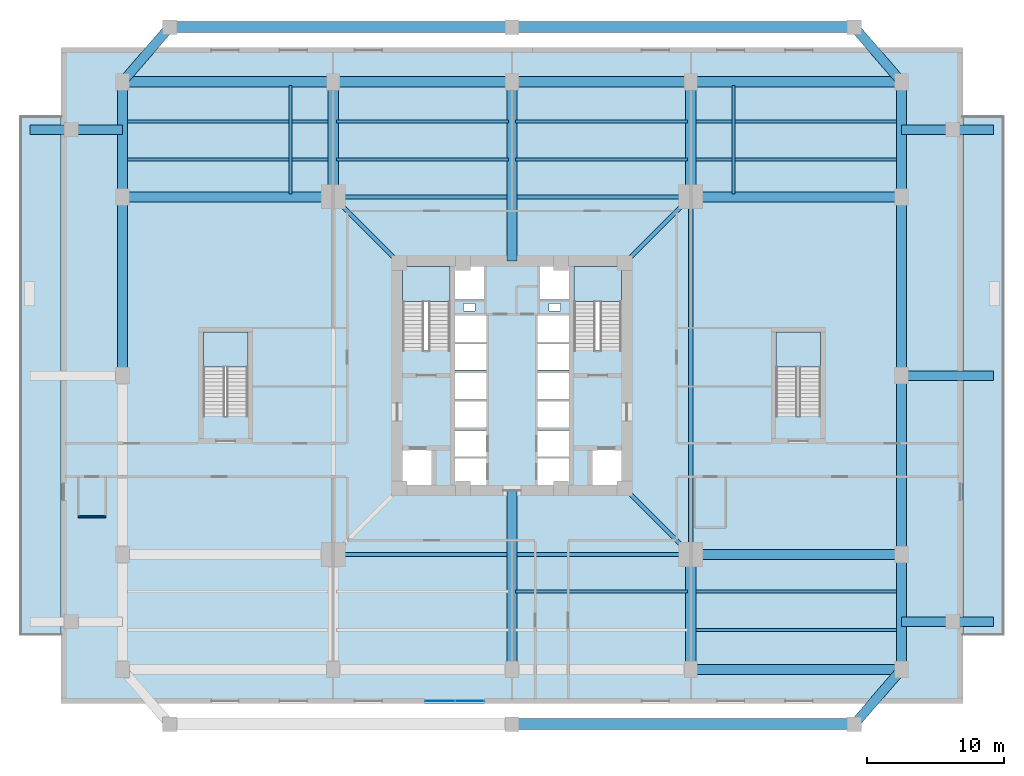
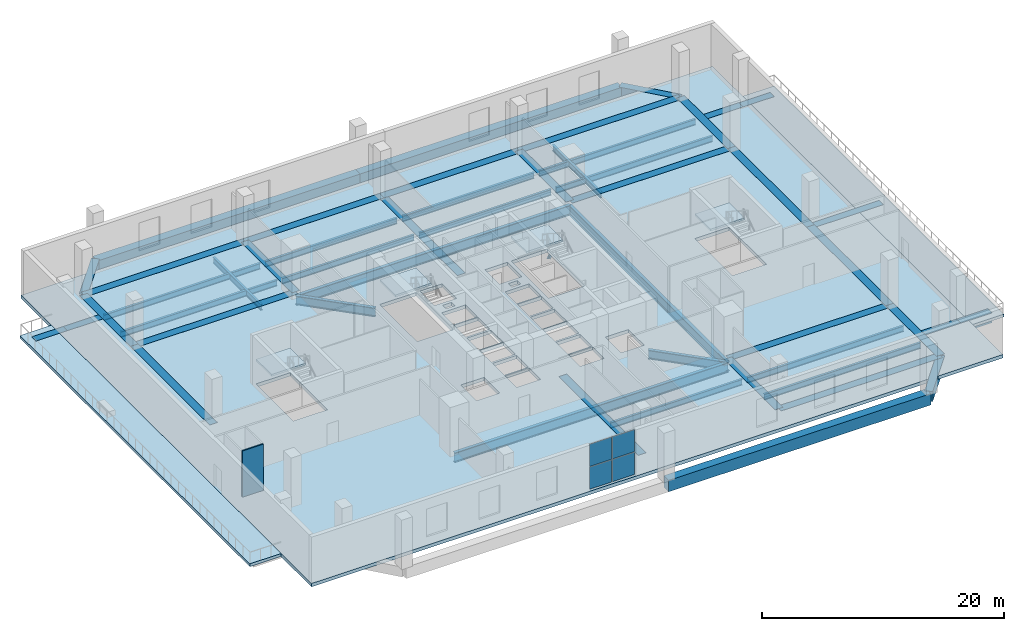
# One storey, part 5 of 14: 51 beams, 7 slabs, 4 plates, 1 wall, 5 elements without a shape of their own.
"""IFC4 building model written with IfcOpenShell, lengths in metres."""

from ifc_helpers import new_model, si_unit, direction, frame, frame_2d, origin, origin_2d, place, context, subcontext, project, spatial, polyline, rectangle, i_section, outline, extrude, source, transform, mapped, material, layer, layer_set, material_profile, profile_set, type_object, element, aggregate, save


model = new_model("IFC4")

# Units and contexts
model_context = context("Model", 3, precision=1e-05, world=origin(), true_north=direction((0.0, 1.0)))
body_context = subcontext(model_context, "Body", "Model", "MODEL_VIEW")
ifc_project = project(units=[si_unit("LENGTHUNIT", "METRE"), si_unit("AREAUNIT", "SQUARE_METRE"), si_unit("VOLUMEUNIT", "CUBIC_METRE"), si_unit("PLANEANGLEUNIT", "RADIAN"), si_unit("MASSUNIT", "GRAM", prefix="KILO"), si_unit("THERMODYNAMICTEMPERATUREUNIT", "KELVIN")], contexts=[model_context])

# Site, building, storey
site_placement = place(None, origin())
site = spatial("IfcSite", under=ifc_project, at=site_placement, CompositionType="ELEMENT")
building_placement = place(site_placement, origin())
building = spatial("IfcBuilding", under=site, at=building_placement, Name="Kosmvard Interchange Tower", CompositionType="ELEMENT")
storey_placement = place(building_placement, frame((0.0, 0.0, 16.0)))
storey = spatial("IfcBuildingStorey", under=building, at=storey_placement, Name="L03", CompositionType="ELEMENT", Elevation=16.0)

# Beams
ifc_material_1 = material(Name="Steel S460", Category="steel")
ifc_material_profile_1 = material_profile(ifc_material_1, i_section(OverallWidth=0.30810546875, OverallDepth=0.909912109375, WebThickness=0.02099609375, FlangeThickness=0.0400390625, FilletRadius=0.027099609375, at=origin_2d()), Name="HEM 900")
ifc_profile_set_1 = profile_set([ifc_material_profile_1], Name="Steel S460")
beam_type_1 = type_object("IfcBeamType", Name="Primary Mega-Frame Girder HEM 900 S460", PredefinedType="BEAM", material=ifc_profile_set_1)
shared_shape_1 = source(origin(), body_context, "Body", "SweptSolid", [
    extrude(i_section(OverallWidth=0.30810546875, OverallDepth=0.909912109375, WebThickness=0.02099609375, FlangeThickness=0.0400390625, FilletRadius=0.027099609375, at=origin_2d()), origin(), (0.0, 0.0, 1.0), 6.83203125),
])
for number, where, z_axis, x_axis, name in (
    (1, (8.25, -8.25, -0.794921875), (0.707106781187, -0.707106781187, 0.0), (0.707106781187, 0.707106781187, 0.0), "L03 Radial Mega-Frame Girder 2"),
    (2, (8.25, 8.25, -0.794921875), (0.707106781187, 0.707106781187, 0.0), (-0.707106781187, 0.707106781187, 0.0), "L03 Radial Mega-Frame Girder 3"),
    (3, (-8.25, 8.25, -0.794921875), (-0.707106781187, 0.707106781187, 0.0), (-0.707106781187, -0.707106781187, 0.0), "L03 Radial Mega-Frame Girder 4"),
):
    element("IfcBeam", number, at=place(storey_placement, frame(where, z_axis=z_axis, x_axis=x_axis)), inside=storey, type_object=beam_type_1, Name=name, PredefinedType="BEAM", context=body_context, shape_type="MappedRepresentation", body=[
        mapped(shared_shape_1, transform((0.0, 0.0, 0.0), scale=1.0)),
    ])
ifc_material_profile_2 = material_profile(ifc_material_1, i_section(OverallWidth=0.30908203125, OverallDepth=1.008056640625, WebThickness=0.02099609375, FlangeThickness=0.0400390625, FilletRadius=0.030029296875, at=origin_2d()), Name="HEM 1000")
ifc_profile_set_2 = profile_set([ifc_material_profile_2], Name="Steel S460")
beam_type_2 = type_object("IfcBeamType", Name="Mega-Column Ring Girder HEM 1000 S460", PredefinedType="BEAM", material=ifc_profile_set_2)
shared_shape_2 = source(origin(), body_context, "Body", "SweptSolid", [
    extrude(i_section(OverallWidth=0.30908203125, OverallDepth=1.008056640625, WebThickness=0.02099609375, FlangeThickness=0.0400390625, FilletRadius=0.030029296875, at=origin_2d()), origin(), (0.0, 0.0, 1.0), 26.162109375),
])
for number, where, z_axis, x_axis, name in (
    (4, (-13.0810546875, -13.0810546875, -0.843994140625), (1.0, 0.0, 0.0), (0.0, 1.0, 0.0), "L03 Mega-Column Ring Girder 1"),
    (5, (13.0810546875, -13.0810546875, -0.843994140625), (0.0, 1.0, 0.0), (-1.0, 0.0, 0.0), "L03 Mega-Column Ring Girder 2"),
    (6, (13.0810546875, 13.0810546875, -0.843994140625), (-1.0, 0.0, 0.0), (0.0, -1.0, 0.0), "L03 Mega-Column Ring Girder 3"),
):
    element("IfcBeam", number, at=place(storey_placement, frame(where, z_axis=z_axis, x_axis=x_axis)), inside=storey, type_object=beam_type_2, Name=name, PredefinedType="BEAM", context=body_context, shape_type="MappedRepresentation", body=[
        mapped(shared_shape_2, transform((0.0, 0.0, 0.0), scale=1.0)),
    ])
ifc_material_2 = material(Name="Steel S355", Category="steel")
ifc_material_profile_3 = material_profile(ifc_material_2, i_section(OverallWidth=0.219970703125, OverallDepth=0.60009765625, WebThickness=0.011962890625, FlangeThickness=0.01904296875, FilletRadius=0.02392578125, at=origin_2d()), Name="IPE 600")
ifc_profile_set_3 = profile_set([ifc_material_profile_3], Name="Steel S355")
beam_type_3 = type_object("IfcBeamType", Name="Long-Span Floor Joist IPE 600 S355", PredefinedType="JOIST", material=ifc_profile_set_3)
shared_shape_3 = source(origin(), body_context, "Body", "SweptSolid", [
    extrude(i_section(OverallWidth=0.219970703125, OverallDepth=0.60009765625, WebThickness=0.011962890625, FlangeThickness=0.01904296875, FilletRadius=0.02392578125, at=origin_2d()), origin(), (0.0, 0.0, 1.0), 14.949951171875),
])
for number, where, z_axis, x_axis, name in (
    (7, (13.300048828125, -18.60009765625, -0.639892578125), (1.0, 0.0, 0.0), (0.0, 1.0, 0.0), "BM-L03-PJ04"),
    (8, (13.300048828125, -15.800048828125, -0.639892578125), (1.0, 0.0, 0.0), (0.0, 1.0, 0.0), "BM-L03-PJ08"),
    (9, (-28.25, 15.800048828125, -0.639892578125), (1.0, 0.0, 0.0), (0.0, 1.0, 0.0), "BM-L03-PJ09"),
    (10, (13.300048828125, 15.800048828125, -0.639892578125), (1.0, 0.0, 0.0), (0.0, 1.0, 0.0), "BM-L03-PJ12"),
    (11, (-28.25, 18.60009765625, -0.639892578125), (1.0, 0.0, 0.0), (0.0, 1.0, 0.0), "BM-L03-PJ13"),
    (12, (13.300048828125, 18.60009765625, -0.639892578125), (1.0, 0.0, 0.0), (0.0, 1.0, 0.0), "BM-L03-PJ16"),
):
    element("IfcBeam", number, at=place(storey_placement, frame(where, z_axis=z_axis, x_axis=x_axis)), inside=storey, type_object=beam_type_3, Name=name, PredefinedType="JOIST", context=body_context, shape_type="MappedRepresentation", body=[
        mapped(shared_shape_3, transform((0.0, 0.0, 0.0), scale=1.0)),
    ])
shared_shape_4 = source(origin(), body_context, "Body", "SweptSolid", [
    extrude(i_section(OverallWidth=0.219970703125, OverallDepth=0.60009765625, WebThickness=0.011962890625, FlangeThickness=0.01904296875, FilletRadius=0.02392578125, at=origin_2d()), origin(), (0.0, 0.0, 1.0), 12.60009765625),
])
for number, where, z_axis, x_axis, name in (
    (13, (0.25, -15.800048828125, -0.639892578125), (1.0, 0.0, 0.0), (0.0, 1.0, 0.0), "BM-L03-PJ07"),
    (14, (-12.85009765625, 15.800048828125, -0.639892578125), (1.0, 0.0, 0.0), (0.0, 1.0, 0.0), "BM-L03-PJ10"),
    (15, (0.25, 15.800048828125, -0.639892578125), (1.0, 0.0, 0.0), (0.0, 1.0, 0.0), "BM-L03-PJ11"),
    (16, (-12.85009765625, 18.60009765625, -0.639892578125), (1.0, 0.0, 0.0), (0.0, 1.0, 0.0), "BM-L03-PJ14"),
    (17, (0.25, 18.60009765625, -0.639892578125), (1.0, 0.0, 0.0), (0.0, 1.0, 0.0), "BM-L03-PJ15"),
):
    element("IfcBeam", number, at=place(storey_placement, frame(where, z_axis=z_axis, x_axis=x_axis)), inside=storey, type_object=beam_type_3, Name=name, PredefinedType="JOIST", context=body_context, shape_type="MappedRepresentation", body=[
        mapped(shared_shape_4, transform((0.0, 0.0, 0.0), scale=1.0)),
    ])
shared_shape_5 = source(origin(), body_context, "Body", "SweptSolid", [
    extrude(i_section(OverallWidth=0.219970703125, OverallDepth=0.60009765625, WebThickness=0.011962890625, FlangeThickness=0.01904296875, FilletRadius=0.02392578125, at=origin_2d()), origin(), (0.0, 0.0, 1.0), 7.949951171875),
])
for number, where, z_axis, x_axis, name in (
    (18, (-16.199951171875, 13.300048828125, -0.639892578125), (0.0, 1.0, 0.0), (-1.0, 0.0, 0.0), "BM-L03-PJ17"),
    (19, (16.199951171875, 13.300048828125, -0.639892578125), (0.0, 1.0, 0.0), (-1.0, 0.0, 0.0), "BM-L03-PJ18"),
):
    element("IfcBeam", number, at=place(storey_placement, frame(where, z_axis=z_axis, x_axis=x_axis)), inside=storey, type_object=beam_type_3, Name=name, PredefinedType="JOIST", context=body_context, shape_type="MappedRepresentation", body=[
        mapped(shared_shape_5, transform((0.0, 0.0, 0.0), scale=1.0)),
    ])
ifc_material_3 = material(Name="Concrete C60/75", Category="concrete")
ifc_material_profile_4 = material_profile(ifc_material_3, rectangle(XDim=0.75, YDim=1.050048828125, at=origin_2d()), Name="RCG 750x1050")
ifc_profile_set_4 = profile_set([ifc_material_profile_4], Name="Concrete C60/75")
beam_type_4 = type_object("IfcBeamType", Name="Concourse Mid-Span RC Girder 750x1050 C60/75", PredefinedType="BEAM", material=ifc_profile_set_4)
shared_shape_6 = source(origin(), body_context, "Body", "SweptSolid", [
    extrude(rectangle(XDim=0.75, YDim=1.050048828125, at=origin_2d()), origin(), (0.0, 0.0, 1.0), 15.4189453125),
])
for number, where, z_axis, x_axis, name in (
    (20, (13.0810546875, -21.5, -0.52490234375), (1.0, 0.0, 0.0), (0.0, 1.0, 0.0), "BM-L03-PG-S4"),
    (21, (-28.5, 21.5, -0.52490234375), (1.0, 0.0, 0.0), (0.0, 1.0, 0.0), "BM-L03-PG-N1"),
    (22, (13.0810546875, 21.5, -0.52490234375), (1.0, 0.0, 0.0), (0.0, 1.0, 0.0), "BM-L03-PG-N4"),
    (23, (-28.5, 13.0810546875, -0.52490234375), (1.0, 0.0, 0.0), (0.0, 1.0, 0.0), "BM-L03-PG-CW2"),
    (24, (28.5, -13.0810546875, -0.52490234375), (-1.0, 0.0, 0.0), (0.0, -1.0, 0.0), "BM-L03-PG-CE1"),
    (25, (28.5, 13.0810546875, -0.52490234375), (-1.0, 0.0, 0.0), (0.0, -1.0, 0.0), "BM-L03-PG-CE2"),
):
    element("IfcBeam", number, at=place(storey_placement, frame(where, z_axis=z_axis, x_axis=x_axis)), inside=storey, type_object=beam_type_4, Name=name, PredefinedType="BEAM", context=body_context, shape_type="MappedRepresentation", body=[
        mapped(shared_shape_6, transform((0.0, 0.0, 0.0), scale=1.0)),
    ])
shared_shape_7 = source(origin(), body_context, "Body", "SweptSolid", [
    extrude(rectangle(XDim=0.75, YDim=1.050048828125, at=origin_2d()), origin(), (0.0, 0.0, 1.0), 13.0810546875),
])
for number, where, z_axis, x_axis, name in (
    (26, (-13.0810546875, 21.5, -0.52490234375), (1.0, 0.0, 0.0), (0.0, 1.0, 0.0), "BM-L03-PG-N2"),
    (27, (0.0, 21.5, -0.52490234375), (1.0, 0.0, 0.0), (0.0, 1.0, 0.0), "BM-L03-PG-N3"),
    (28, (-28.5, 0.0, -0.52490234375), (0.0, 1.0, 0.0), (-1.0, 0.0, 0.0), "BM-L03-PG-W3"),
    (29, (28.5, -13.0810546875, -0.52490234375), (0.0, 1.0, 0.0), (-1.0, 0.0, 0.0), "BM-L03-PG-E2"),
    (30, (28.5, 0.0, -0.52490234375), (0.0, 1.0, 0.0), (-1.0, 0.0, 0.0), "BM-L03-PG-E3"),
):
    element("IfcBeam", number, at=place(storey_placement, frame(where, z_axis=z_axis, x_axis=x_axis)), inside=storey, type_object=beam_type_4, Name=name, PredefinedType="BEAM", context=body_context, shape_type="MappedRepresentation", body=[
        mapped(shared_shape_7, transform((0.0, 0.0, 0.0), scale=1.0)),
    ])
shared_shape_8 = source(origin(), body_context, "Body", "SweptSolid", [
    extrude(rectangle(XDim=0.75, YDim=1.050048828125, at=origin_2d()), origin(), (0.0, 0.0, 1.0), 8.4189453125),
])
for number, where, z_axis, x_axis, name in (
    (31, (-28.5, 13.0810546875, -0.52490234375), (0.0, 1.0, 0.0), (-1.0, 0.0, 0.0), "BM-L03-PG-W4"),
    (32, (28.5, -21.5, -0.52490234375), (0.0, 1.0, 0.0), (-1.0, 0.0, 0.0), "BM-L03-PG-E1"),
    (33, (28.5, 13.0810546875, -0.52490234375), (0.0, 1.0, 0.0), (-1.0, 0.0, 0.0), "BM-L03-PG-E4"),
    (34, (13.0810546875, -21.5, -0.52490234375), (0.0, 1.0, 0.0), (-1.0, 0.0, 0.0), "BM-L03-PG-CS2"),
    (35, (-13.0810546875, 21.5, -0.52490234375), (0.0, -1.0, 0.0), (1.0, 0.0, 0.0), "BM-L03-PG-CN1"),
    (36, (13.0810546875, 21.5, -0.52490234375), (0.0, -1.0, 0.0), (1.0, 0.0, 0.0), "BM-L03-PG-CN2"),
):
    element("IfcBeam", number, at=place(storey_placement, frame(where, z_axis=z_axis, x_axis=x_axis)), inside=storey, type_object=beam_type_4, Name=name, PredefinedType="BEAM", context=body_context, shape_type="MappedRepresentation", body=[
        mapped(shared_shape_8, transform((0.0, 0.0, 0.0), scale=1.0)),
    ])
shared_shape_9 = source(origin(), body_context, "Body", "SweptSolid", [
    extrude(rectangle(XDim=0.75, YDim=1.050048828125, at=origin_2d()), origin(), (0.0, 0.0, 1.0), 13.10009765625),
])
for number, where, z_axis, x_axis, name in (
    (37, (0.0, -21.5, -0.52490234375), (0.0, 1.0, 0.0), (-1.0, 0.0, 0.0), "BM-L03-PG-MS"),
    (38, (0.0, 21.5, -0.52490234375), (0.0, -1.0, 0.0), (1.0, 0.0, 0.0), "BM-L03-PG-MN"),
):
    element("IfcBeam", number, at=place(storey_placement, frame(where, z_axis=z_axis, x_axis=x_axis)), inside=storey, type_object=beam_type_4, Name=name, PredefinedType="BEAM", context=body_context, shape_type="MappedRepresentation", body=[
        mapped(shared_shape_9, transform((0.0, 0.0, 0.0), scale=1.0)),
    ])
ifc_material_profile_5 = material_profile(ifc_material_3, rectangle(XDim=0.800048828125, YDim=1.14990234375, at=origin_2d()), Name="RCG 800x1150")
ifc_profile_set_5 = profile_set([ifc_material_profile_5], Name="Concrete C60/75")
beam_type_5 = type_object("IfcBeamType", Name="Concourse Long-Span RC Girder 800x1150 C60/75", PredefinedType="BEAM", material=ifc_profile_set_5)
shared_shape_10 = source(origin(), body_context, "Body", "SweptSolid", [
    extrude(rectangle(XDim=0.800048828125, YDim=1.14990234375, at=origin_2d()), origin(), (0.0, 0.0, 1.0), 25.050048828125),
])
for number, where, z_axis, x_axis, name in (
    (39, (0.0, -25.5, -0.574951171875), (1.0, 0.0, 0.0), (0.0, 1.0, 0.0), "BM-L03-PG-TS2"),
    (40, (-25.050048828125, 25.5, -0.574951171875), (1.0, 0.0, 0.0), (0.0, 1.0, 0.0), "BM-L03-PG-TN1"),
    (41, (0.0, 25.5, -0.574951171875), (1.0, 0.0, 0.0), (0.0, 1.0, 0.0), "BM-L03-PG-TN2"),
):
    element("IfcBeam", number, at=place(storey_placement, frame(where, z_axis=z_axis, x_axis=x_axis)), inside=storey, type_object=beam_type_5, Name=name, PredefinedType="BEAM", context=body_context, shape_type="MappedRepresentation", body=[
        mapped(shared_shape_10, transform((0.0, 0.0, 0.0), scale=1.0)),
    ])
ifc_material_profile_6 = material_profile(ifc_material_3, rectangle(XDim=0.699951171875, YDim=1.0, at=origin_2d()), Name="RCG 700x1000")
ifc_profile_set_6 = profile_set([ifc_material_profile_6], Name="Concrete C60/75")
beam_type_6 = type_object("IfcBeamType", Name="Concourse Primary RC Girder 700x1000 C60/75", PredefinedType="BEAM", material=ifc_profile_set_6)
shared_shape_11 = source(origin(), body_context, "Body", "SweptSolid", [
    extrude(rectangle(XDim=0.699951171875, YDim=1.0, at=origin_2d()), origin(), (0.0, 0.0, 1.0), 5.2822265625),
])
for number, where, z_axis, x_axis, name in (
    (42, (25.050048828125, -25.5, -0.5), (0.653121547432, 0.757253091298, 0.0), (-0.757253091298, 0.653121547432, 0.0), "BM-L03-PG-TSR"),
    (43, (-25.050048828125, 25.5, -0.5), (-0.653121547432, -0.757253091298, 0.0), (0.757253091298, -0.653121547432, 0.0), "BM-L03-PG-TNL"),
    (44, (25.050048828125, 25.5, -0.5), (0.653121547432, -0.757253091298, 0.0), (0.757253091298, 0.653121547432, 0.0), "BM-L03-PG-TNR"),
):
    element("IfcBeam", number, at=place(storey_placement, frame(where, z_axis=z_axis, x_axis=x_axis)), inside=storey, type_object=beam_type_6, Name=name, PredefinedType="BEAM", context=body_context, shape_type="MappedRepresentation", body=[
        mapped(shared_shape_11, transform((0.0, 0.0, 0.0), scale=1.0)),
    ])
shared_shape_12 = source(origin(), body_context, "Body", "SweptSolid", [
    extrude(rectangle(XDim=0.699951171875, YDim=1.0, at=origin_2d()), origin(), (0.0, 0.0, 1.0), 3.75),
])
for number, where, z_axis, x_axis, name in (
    (45, (-28.5, 18.0, -0.5), (-1.0, 0.0, 0.0), (0.0, -1.0, 0.0), "BM-L03-PG-TCW31"),
    (46, (28.5, -18.0, -0.5), (1.0, 0.0, 0.0), (0.0, 1.0, 0.0), "BM-L03-PG-TCE11"),
    (47, (28.5, 18.0, -0.5), (1.0, 0.0, 0.0), (0.0, 1.0, 0.0), "BM-L03-PG-TCE31"),
):
    element("IfcBeam", number, at=place(storey_placement, frame(where, z_axis=z_axis, x_axis=x_axis)), inside=storey, type_object=beam_type_6, Name=name, PredefinedType="BEAM", context=body_context, shape_type="MappedRepresentation", body=[
        mapped(shared_shape_12, transform((0.0, 0.0, 0.0), scale=1.0)),
    ])
shared_shape_13 = source(origin(), body_context, "Body", "SweptSolid", [
    extrude(rectangle(XDim=0.699951171875, YDim=1.0, at=origin_2d()), origin(), (0.0, 0.0, 1.0), 3.0),
])
for number, where, z_axis, x_axis, name in (
    (48, (-32.25, 18.0, -0.5), (-1.0, 0.0, 0.0), (0.0, -1.0, 0.0), "BM-L03-PG-TCW32"),
    (49, (32.25, -18.0, -0.5), (1.0, 0.0, 0.0), (0.0, 1.0, 0.0), "BM-L03-PG-TCE12"),
    (50, (32.25, 18.0, -0.5), (1.0, 0.0, 0.0), (0.0, 1.0, 0.0), "BM-L03-PG-TCE32"),
):
    element("IfcBeam", number, at=place(storey_placement, frame(where, z_axis=z_axis, x_axis=x_axis)), inside=storey, type_object=beam_type_6, Name=name, PredefinedType="BEAM", context=body_context, shape_type="MappedRepresentation", body=[
        mapped(shared_shape_13, transform((0.0, 0.0, 0.0), scale=1.0)),
    ])
shared_shape_14 = source(origin(), body_context, "Body", "SweptSolid", [
    extrude(rectangle(XDim=0.699951171875, YDim=1.0, at=origin_2d()), origin(), (0.0, 0.0, 1.0), 6.75),
])
beam_placement = place(storey_placement, frame((28.5, 0.0, -0.5), z_axis=(1.0, 0.0, 0.0), x_axis=(0.0, 1.0, 0.0)))
element("IfcBeam", 51, at=beam_placement, inside=storey, type_object=beam_type_6, Name="BM-L03-PG-TCE21", PredefinedType="BEAM", context=body_context, shape_type="MappedRepresentation", body=[
    mapped(shared_shape_14, transform((0.0, 0.0, 0.0), scale=1.0)),
])

# Slabs
ifc_material_4 = material(Name="Precast concrete C45/55", Category="concrete")
ifc_layer_1 = layer(ifc_material_4, 0.2900390625, Name="Precast concrete C45/55")
ifc_layer_set_1 = layer_set([ifc_layer_1], Name="Precast concrete C45/55")
slab_type_1 = type_object("IfcSlabType", Name="Cascade Garden Terrace Slab 290 C45/55", PredefinedType="FLOOR", material=ifc_layer_set_1)
slab_1_placement = place(storey_placement, frame((0.0, 0.0, -0.2900390625)))
element("IfcSlab", 52, at=slab_1_placement, inside=storey, type_object=slab_type_1, Name="L03 Outdoor Terrace Balcony Slab TER-L03-W", PredefinedType="FLOOR", context=body_context, shape_type="SweptSolid", body=[
    extrude(outline(polyline([(-36.0, -19.0), (-33.0, -19.0), (-33.0, 19.0), (-36.0, 19.0), (-36.0, -19.0)])), origin(), (0.0, 0.0, 1.0), 0.2900390625),
])
slab_2_placement = place(storey_placement, frame((0.0, 0.0, -0.2900390625)))
element("IfcSlab", 53, at=slab_2_placement, inside=storey, type_object=slab_type_1, Name="L03 Outdoor Terrace Balcony Slab TER-L03-E", PredefinedType="FLOOR", context=body_context, shape_type="SweptSolid", body=[
    extrude(outline(polyline([(33.0, -19.0), (36.0, -19.0), (36.0, 19.0), (33.0, 19.0), (33.0, -19.0)])), origin(), (0.0, 0.0, 1.0), 0.2900390625),
])
ifc_material_5 = material(Name="Concrete C50/60", Category="concrete")
ifc_layer_2 = layer(ifc_material_5, 0.340087890625, Name="Concrete C50/60")
ifc_layer_set_2 = layer_set([ifc_layer_2], Name="Concrete C50/60")
slab_type_2 = type_object("IfcSlabType", Name="Podium Commercial Floor Slab 340 C50/60", PredefinedType="FLOOR", material=ifc_layer_set_2)
slab_3_placement = place(storey_placement, frame((0.0, 0.0, -0.340087890625)))
element("IfcSlab", 54, at=slab_3_placement, inside=storey, type_object=slab_type_2, Name="L03 Structural Floor Slab", PredefinedType="FLOOR", context=body_context, shape_type="SweptSolid", body=[
    extrude(outline(polyline([(-33.0, -24.0), (33.0, -24.0), (33.0, 24.0), (-33.0, 24.0), (-33.0, -24.0)]), holes=[polyline([(-8.0, 1.8349609375), (-4.5400390625, 1.8349609375), (-4.5400390625, 8.0), (-8.0, 8.0), (-8.0, 1.8349609375)]), polyline([(4.5400390625, 1.8349609375), (8.0, 1.8349609375), (8.0, 8.0), (4.5400390625, 8.0), (4.5400390625, 1.8349609375)]), polyline([(-22.580078125, -2.965087890625), (-19.320068359375, -2.965087890625), (-19.320068359375, 3.199951171875), (-22.580078125, 3.199951171875), (-22.580078125, -2.965087890625)]), polyline([(19.320068359375, -2.965087890625), (22.580078125, -2.965087890625), (22.580078125, 3.199951171875), (19.320068359375, 3.199951171875), (19.320068359375, -2.965087890625)]), polyline([(-8.0, -8.0), (-5.800048828125, -8.0), (-5.800048828125, -5.39990234375), (-8.0, -5.39990234375), (-8.0, -8.0)]), polyline([(5.800048828125, -8.0), (8.0, -8.0), (8.0, -5.39990234375), (5.800048828125, -5.39990234375), (5.800048828125, -8.0)]), polyline([(-4.179931640625, -8.0), (-1.8798828125, -8.0), (-1.8798828125, -6.06005859375), (-4.179931640625, -6.06005859375), (-4.179931640625, -8.0)]), polyline([(-4.179931640625, -5.93994140625), (-1.8798828125, -5.93994140625), (-1.8798828125, -4.0), (-4.179931640625, -4.0), (-4.179931640625, -5.93994140625)]), polyline([(1.8798828125, -8.0), (4.179931640625, -8.0), (4.179931640625, -6.06005859375), (1.8798828125, -6.06005859375), (1.8798828125, -8.0)]), polyline([(1.8798828125, -5.93994140625), (4.179931640625, -5.93994140625), (4.179931640625, -4.0), (1.8798828125, -4.0), (1.8798828125, -5.93994140625)]), polyline([(-4.179931640625, -3.800048828125), (-1.8798828125, -3.800048828125), (-1.8798828125, -1.860107421875), (-4.179931640625, -1.860107421875), (-4.179931640625, -3.800048828125)]), polyline([(-4.179931640625, -1.739990234375), (-1.8798828125, -1.739990234375), (-1.8798828125, 0.199951171875), (-4.179931640625, 0.199951171875), (-4.179931640625, -1.739990234375)]), polyline([(1.8798828125, -3.800048828125), (4.179931640625, -3.800048828125), (4.179931640625, -1.860107421875), (1.8798828125, -1.860107421875), (1.8798828125, -3.800048828125)]), polyline([(1.8798828125, -1.739990234375), (4.179931640625, -1.739990234375), (4.179931640625, 0.199951171875), (1.8798828125, 0.199951171875), (1.8798828125, -1.739990234375)]), polyline([(-4.179931640625, 0.39990234375), (-1.8798828125, 0.39990234375), (-1.8798828125, 2.340087890625), (-4.179931640625, 2.340087890625), (-4.179931640625, 0.39990234375)]), polyline([(-4.179931640625, 2.4599609375), (-1.8798828125, 2.4599609375), (-1.8798828125, 4.39990234375), (-4.179931640625, 4.39990234375), (-4.179931640625, 2.4599609375)]), polyline([(1.8798828125, 0.39990234375), (4.179931640625, 0.39990234375), (4.179931640625, 2.340087890625), (1.8798828125, 2.340087890625), (1.8798828125, 0.39990234375)]), polyline([(1.8798828125, 2.4599609375), (4.179931640625, 2.4599609375), (4.179931640625, 4.39990234375), (1.8798828125, 4.39990234375), (1.8798828125, 2.4599609375)]), polyline([(-4.179931640625, 5.60009765625), (-2.0400390625, 5.60009765625), (-2.0400390625, 8.0), (-4.179931640625, 8.0), (-4.179931640625, 5.60009765625)]), polyline([(2.0400390625, 5.60009765625), (4.179931640625, 5.60009765625), (4.179931640625, 8.0), (2.0400390625, 8.0), (2.0400390625, 5.60009765625)]), polyline([(-3.56494140625, 4.739990234375), (-2.715087890625, 4.739990234375), (-2.715087890625, 5.2900390625), (-3.56494140625, 5.2900390625), (-3.56494140625, 4.739990234375)]), polyline([(2.715087890625, 4.739990234375), (3.56494140625, 4.739990234375), (3.56494140625, 5.2900390625), (2.715087890625, 5.2900390625), (2.715087890625, 4.739990234375)])]), origin(), (0.0, 0.0, 1.0), 0.340087890625),
])

# Stair, slab
stair_type = type_object("IfcStairType", Name="Dog-Leg Core Exit Stair H5000 C50/60", PredefinedType="HALF_TURN_STAIR", material=ifc_material_5)
stair_1_placement = place(storey_placement, origin())
stair_1 = element("IfcStair", 55, at=stair_1_placement, inside=storey, type_object=stair_type, Name="L03 Protected Exit Stair ST-1", PredefinedType="HALF_TURN_STAIR")
ifc_layer_3 = layer(ifc_material_5, 0.199951171875, Name="Concrete C50/60")
ifc_layer_set_3 = layer_set([ifc_layer_3], Name="Concrete C50/60")
slab_type_3 = type_object("IfcSlabType", Name="Stair Half-Landing Slab 200 C50/60", PredefinedType="LANDING", material=ifc_layer_set_3)
slab_4_placement = place(storey_placement, frame((0.0, 0.0, 2.300048828125)))
slab_4 = element("IfcSlab", 56, at=slab_4_placement, type_object=slab_type_3, Name="ST-1 landing 1", PredefinedType="LANDING", context=body_context, shape_type="SweptSolid", body=[
    extrude(outline(polyline([(-4.5400390625, 5.43994140625), (-4.5400390625, 8.0), (-8.0, 8.0), (-8.0, 5.43994140625), (-4.5400390625, 5.43994140625)])), origin(), (0.0, 0.0, 1.0), 0.199951171875),
])
aggregate(stair_1, [slab_4])

stair_2_placement = place(storey_placement, origin())
stair_2 = element("IfcStair", 57, at=stair_2_placement, inside=storey, type_object=stair_type, Name="L03 Protected Exit Stair ST-2", PredefinedType="HALF_TURN_STAIR")
slab_5_placement = place(storey_placement, frame((0.0, 0.0, 2.300048828125)))
slab_5 = element("IfcSlab", 58, at=slab_5_placement, type_object=slab_type_3, Name="ST-2 landing 1", PredefinedType="LANDING", context=body_context, shape_type="SweptSolid", body=[
    extrude(outline(polyline([(8.0, 5.43994140625), (8.0, 8.0), (4.5400390625, 8.0), (4.5400390625, 5.43994140625), (8.0, 5.43994140625)])), origin(), (0.0, 0.0, 1.0), 0.199951171875),
])
aggregate(stair_2, [slab_5])

stair_3_placement = place(storey_placement, origin())
stair_3 = element("IfcStair", 59, at=stair_3_placement, inside=storey, type_object=stair_type, Name="L03 Podium Concourse Stair ST-3", PredefinedType="HALF_TURN_STAIR")
slab_6_placement = place(storey_placement, frame((0.0, 0.0, 2.300048828125)))
slab_6 = element("IfcSlab", 60, at=slab_6_placement, type_object=slab_type_3, Name="ST-3 landing 1", PredefinedType="LANDING", context=body_context, shape_type="SweptSolid", body=[
    extrude(outline(polyline([(-19.320068359375, 0.639892578125), (-19.320068359375, 3.199951171875), (-22.580078125, 3.199951171875), (-22.580078125, 0.639892578125), (-19.320068359375, 0.639892578125)])), origin(), (0.0, 0.0, 1.0), 0.199951171875),
])
aggregate(stair_3, [slab_6])

stair_4_placement = place(storey_placement, origin())
stair_4 = element("IfcStair", 61, at=stair_4_placement, inside=storey, type_object=stair_type, Name="L03 Podium Concourse Stair ST-4", PredefinedType="HALF_TURN_STAIR")
slab_7_placement = place(storey_placement, frame((0.0, 0.0, 2.300048828125)))
slab_7 = element("IfcSlab", 62, at=slab_7_placement, type_object=slab_type_3, Name="ST-4 landing 1", PredefinedType="LANDING", context=body_context, shape_type="SweptSolid", body=[
    extrude(outline(polyline([(22.580078125, 0.639892578125), (22.580078125, 3.199951171875), (19.320068359375, 3.199951171875), (19.320068359375, 0.639892578125), (22.580078125, 0.639892578125)])), origin(), (0.0, 0.0, 1.0), 0.199951171875),
])
aggregate(stair_4, [slab_7])

# Curtain wall, plates
ifc_material_6 = material(Name="Architectural anodised aluminium", Category="aluminium")
ifc_layer_4 = layer(ifc_material_6, 0.199951171875, Name="Architectural anodised aluminium")
ifc_layer_set_4 = layer_set([ifc_layer_4], Name="Architectural anodised aluminium")
curtain_wall_type = type_object("IfcCurtainWallType", Name="CW-2 Cascade Terrace Hall Curtain Wall", PredefinedType="NOTDEFINED", material=ifc_layer_set_4)
curtain_wall_placement = place(storey_placement, origin())
curtain_wall = element("IfcCurtainWall", 63, at=curtain_wall_placement, inside=storey, type_object=curtain_wall_type, Name="L03 South Terrace Hall Curtain Wall", PredefinedType="NOTDEFINED")
ifc_material_7 = material(Name="Low-E solar-control double glazing", Category="glass")
ifc_layer_5 = layer(ifc_material_7, 0.031982421875, Name="Low-E solar-control double glazing")
ifc_layer_set_5 = layer_set([ifc_layer_5], Name="Low-E solar-control double glazing")
plate_type = type_object("IfcPlateType", Name="Sky-Garden Vision Curtain Panel 32", PredefinedType="CURTAIN_PANEL", material=ifc_layer_set_5)
shared_shape_15 = source(origin(), body_context, "Body", "SweptSolid", [
    extrude(rectangle(XDim=2.094970703125, YDim=0.031982421875, at=origin_2d()), origin(), (0.0, 0.0, 1.0), 2.232421875),
])
plate_1_placement = place(storey_placement, frame((-5.282470703125, -23.800048828125, 0.06494140625), z_axis=(0.0, 0.0, 1.0), x_axis=(1.0, 0.0, 0.0)))
plate_1 = element("IfcPlate", 64, at=plate_1_placement, type_object=plate_type, Name="CW-2 panel 1.1", PredefinedType="CURTAIN_PANEL", context=body_context, shape_type="MappedRepresentation", body=[
    mapped(shared_shape_15, transform((0.0, 0.0, 0.0), scale=1.0)),
])
plate_2_placement = place(storey_placement, frame((-5.282470703125, -23.800048828125, 2.362548828125), z_axis=(0.0, 0.0, 1.0), x_axis=(1.0, 0.0, 0.0)))
plate_2 = element("IfcPlate", 65, at=plate_2_placement, type_object=plate_type, Name="CW-2 panel 1.2", PredefinedType="CURTAIN_PANEL", context=body_context, shape_type="MappedRepresentation", body=[
    mapped(shared_shape_15, transform((0.0, 0.0, 0.0), scale=1.0)),
])
plate_3_placement = place(storey_placement, frame((-3.117431640625, -23.800048828125, 0.06494140625), z_axis=(0.0, 0.0, 1.0), x_axis=(1.0, 0.0, 0.0)))
plate_3 = element("IfcPlate", 66, at=plate_3_placement, type_object=plate_type, Name="CW-2 panel 2.1", PredefinedType="CURTAIN_PANEL", context=body_context, shape_type="MappedRepresentation", body=[
    mapped(shared_shape_15, transform((0.0, 0.0, 0.0), scale=1.0)),
])
plate_4_placement = place(storey_placement, frame((-3.117431640625, -23.800048828125, 2.362548828125), z_axis=(0.0, 0.0, 1.0), x_axis=(1.0, 0.0, 0.0)))
plate_4 = element("IfcPlate", 67, at=plate_4_placement, type_object=plate_type, Name="CW-2 panel 2.2", PredefinedType="CURTAIN_PANEL", context=body_context, shape_type="MappedRepresentation", body=[
    mapped(shared_shape_15, transform((0.0, 0.0, 0.0), scale=1.0)),
])
aggregate(curtain_wall, [plate_1, plate_2, plate_3, plate_4])

# Wall
ifc_material_8 = material(Name="Moisture-resistant gypsum partition")
ifc_layer_6 = layer(ifc_material_8, 0.135009765625, Name="Moisture-resistant gypsum partition")
ifc_layer_set_6 = layer_set([ifc_layer_6], Name="Moisture-resistant gypsum partition")
wall_type = type_object("IfcWallType", Name="Wet Room Moisture-Resistant Partition 135", PredefinedType="PARTITIONING", material=ifc_layer_set_6)
wall_placement = place(storey_placement, frame((-31.735107421875, -10.320068359375, 0.0), z_axis=(0.0, 0.0, 1.0), x_axis=(1.0, 0.0, 0.0)))
element("IfcWall", 68, at=wall_placement, inside=storey, type_object=wall_type, Name="L03 Washroom Partition AWC1-S", PredefinedType="PARTITIONING", context=body_context, shape_type="SweptSolid", body=[
    extrude(rectangle(XDim=2.0, YDim=0.135009765625, at=frame_2d((1.0, 0.0))), origin(), (0.0, 0.0, 1.0), 4.659912109375),
])

save(model, "model.ifc")
